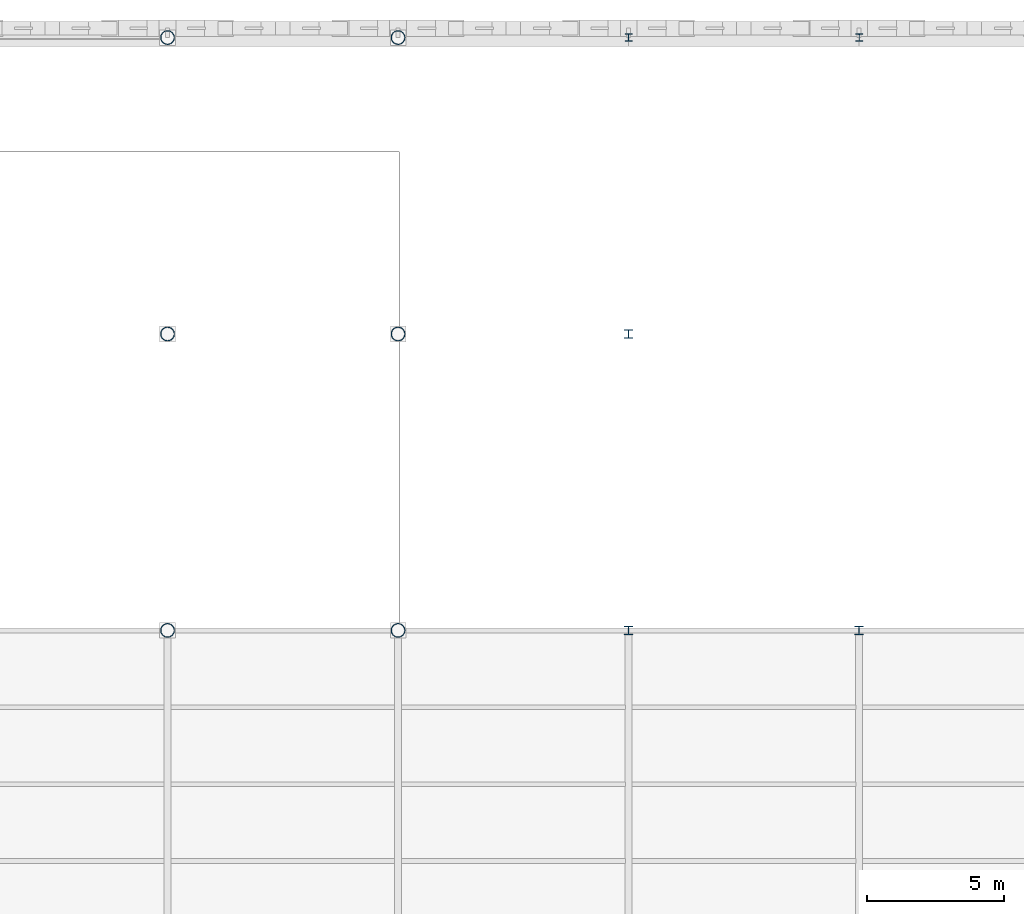
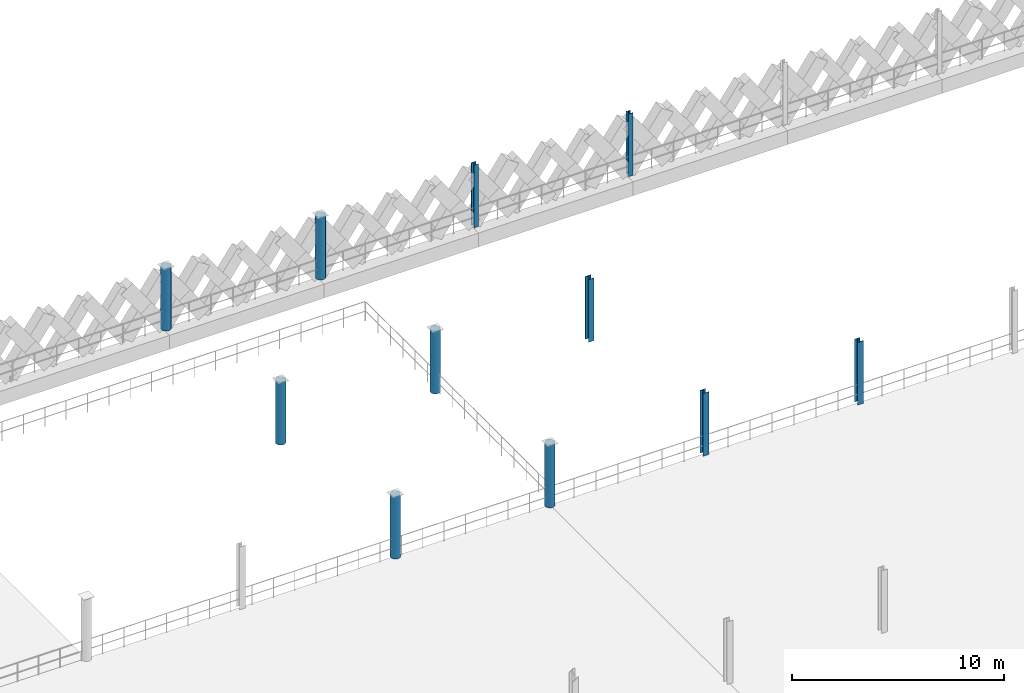
# One storey, part 10 of 47: 11 columns.
"""IFC4 building model written with IfcOpenShell, lengths in metres."""

from ifc_helpers import new_model, si_unit, direction, frame, origin, origin_2d, place, context, subcontext, project, spatial, hollow_circle, i_section, extrude, material, material_profile, profile_set, type_object, element, save


model = new_model("IFC4")

# Units and contexts
model_context = context("Model", 3, precision=1e-05, world=origin(), true_north=direction((0.0, 1.0)))
body_context = subcontext(model_context, "Body", "Model", "MODEL_VIEW")
ifc_project = project(units=[si_unit("LENGTHUNIT", "METRE"), si_unit("AREAUNIT", "SQUARE_METRE"), si_unit("VOLUMEUNIT", "CUBIC_METRE"), si_unit("PLANEANGLEUNIT", "RADIAN"), si_unit("MASSUNIT", "GRAM", prefix="KILO"), si_unit("THERMODYNAMICTEMPERATUREUNIT", "KELVIN"), si_unit("POWERUNIT", "WATT")], contexts=[model_context])

# Site, building, storey
site_placement = place(None, origin())
site = spatial("IfcSite", under=ifc_project, at=site_placement, CompositionType="ELEMENT")
building_placement = place(site_placement, origin())
building = spatial("IfcBuilding", under=site, at=building_placement, Name="Tembeka Court Mobility Hub", CompositionType="ELEMENT")
storey_placement = place(building_placement, frame((0.0, 0.0, 19.800048828125)))
storey = spatial("IfcBuildingStorey", under=building, at=storey_placement, Name="L05", CompositionType="ELEMENT", Elevation=19.800048828125)

# Columns
ifc_material = material(Name="Steel S355", Category="steel")
ifc_material_profile_1 = material_profile(ifc_material, i_section(OverallWidth=0.30908203125, OverallDepth=0.321044921875, WebThickness=0.013916015625, FlangeThickness=0.021728515625, FilletRadius=0.01513671875, at=origin_2d()), Name="UKC 305x305x137")
ifc_profile_set_1 = profile_set([ifc_material_profile_1], Name="Steel S355")
column_type_1 = type_object("IfcColumnType", Name="COL-C04", PredefinedType="COLUMN", material=ifc_profile_set_1)
for number, where, z_axis, x_axis, name in (
    (1, (50.39990234375, 97.199951171875, 0.0), (0.0, 0.0, 1.0), (1.0, 0.0, 0.0), "Column C04 (L05-080)"),
    (2, (50.39990234375, 108.0, 0.0), (0.0, 0.0, 1.0), (1.0, 0.0, 0.0), "Column C04 (L05-081)"),
    (3, (58.800048828125, 97.199951171875, 0.0), (0.0, 0.0, 1.0), (1.0, 0.0, 0.0), "Column C04 (L05-091)"),
):
    element("IfcColumn", number, at=place(storey_placement, frame(where, z_axis=z_axis, x_axis=x_axis)), inside=storey, type_object=column_type_1, Name=name, PredefinedType="COLUMN", context=body_context, shape_type="SweptSolid", body=[
        extrude(i_section(OverallWidth=0.30908203125, OverallDepth=0.321044921875, WebThickness=0.013916015625, FlangeThickness=0.021728515625, FilletRadius=0.01513671875, at=origin_2d()), origin(), (0.0, 0.0, 1.0), 3.599853515625),
    ])
ifc_material_profile_2 = material_profile(ifc_material, i_section(OverallWidth=0.256103515625, OverallDepth=0.260009765625, WebThickness=0.01025390625, FlangeThickness=0.017333984375, FilletRadius=0.0126953125, at=origin_2d()), Name="UKC 254x254x89")
ifc_profile_set_2 = profile_set([ifc_material_profile_2], Name="Steel S355")
column_type_2 = type_object("IfcColumnType", Name="COL-C05", PredefinedType="COLUMN", material=ifc_profile_set_2)
for number, where, z_axis, x_axis, name in (
    (4, (50.39990234375, 118.800048828125, 0.0), (0.0, 0.0, 1.0), (1.0, 0.0, 0.0), "Column C05 (L05-082)"),
    (5, (58.800048828125, 118.800048828125, 0.0), (0.0, 0.0, 1.0), (1.0, 0.0, 0.0), "Column C05 (L05-092)"),
):
    element("IfcColumn", number, at=place(storey_placement, frame(where, z_axis=z_axis, x_axis=x_axis)), inside=storey, type_object=column_type_2, Name=name, PredefinedType="COLUMN", context=body_context, shape_type="SweptSolid", body=[
        extrude(i_section(OverallWidth=0.256103515625, OverallDepth=0.260009765625, WebThickness=0.01025390625, FlangeThickness=0.017333984375, FilletRadius=0.0126953125, at=origin_2d()), origin(), (0.0, 0.0, 1.0), 3.599853515625),
    ])
ifc_material_profile_3 = material_profile(ifc_material, hollow_circle(Radius=0.25390625, WallThickness=0.01611328125, at=origin_2d()), Name="CHS 508x16")
ifc_profile_set_3 = profile_set([ifc_material_profile_3], Name="Steel S355")
column_type_3 = type_object("IfcColumnType", Name="COL-C08", PredefinedType="COLUMN", material=ifc_profile_set_3)
for number, where, z_axis, x_axis, name in (
    (6, (33.60009765625, 97.199951171875, 0.0), (0.0, 0.0, 1.0), (1.0, 0.0, 0.0), "Column C08 (L05-056)"),
    (7, (33.60009765625, 108.0, 0.0), (0.0, 0.0, 1.0), (1.0, 0.0, 0.0), "Column C08 (L05-057)"),
    (8, (33.60009765625, 118.800048828125, 0.0), (0.0, 0.0, 1.0), (1.0, 0.0, 0.0), "Column C08 (L05-058)"),
    (9, (42.0, 97.199951171875, 0.0), (0.0, 0.0, 1.0), (1.0, 0.0, 0.0), "Column C08 (L05-068)"),
    (10, (42.0, 108.0, 0.0), (0.0, 0.0, 1.0), (1.0, 0.0, 0.0), "Column C08 (L05-069)"),
    (11, (42.0, 118.800048828125, 0.0), (0.0, 0.0, 1.0), (1.0, 0.0, 0.0), "Column C08 (L05-070)"),
):
    element("IfcColumn", number, at=place(storey_placement, frame(where, z_axis=z_axis, x_axis=x_axis)), inside=storey, type_object=column_type_3, Name=name, PredefinedType="COLUMN", context=body_context, shape_type="SweptSolid", body=[
        extrude(hollow_circle(Radius=0.25390625, WallThickness=0.01611328125, at=origin_2d()), origin(), (0.0, 0.0, 1.0), 3.599853515625),
    ])

save(model, "model.ifc")
